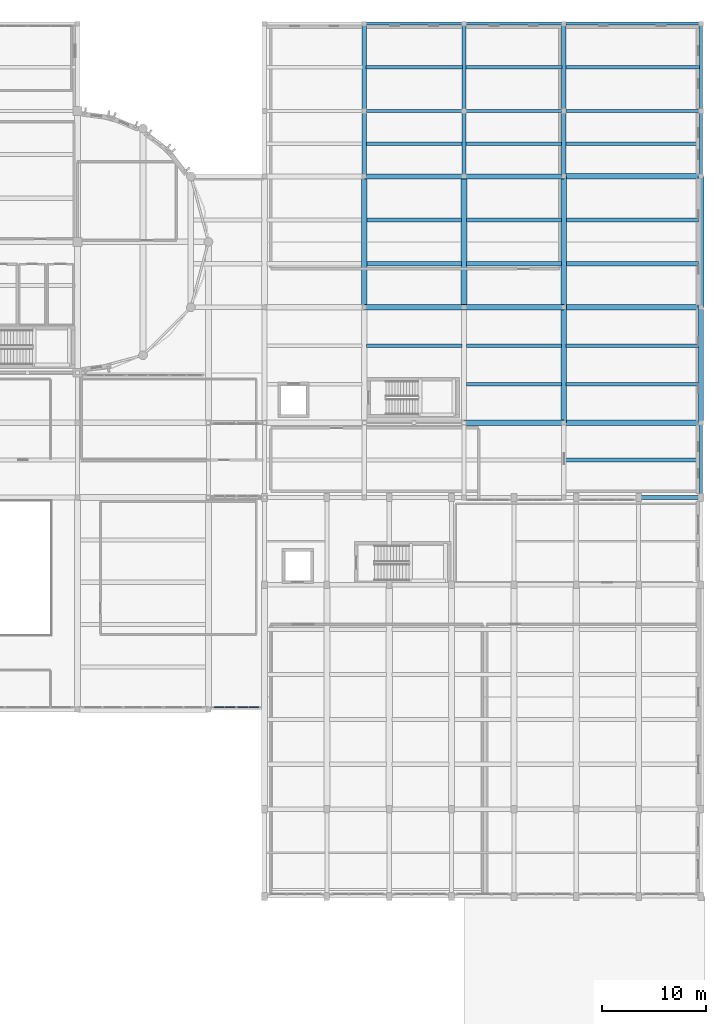
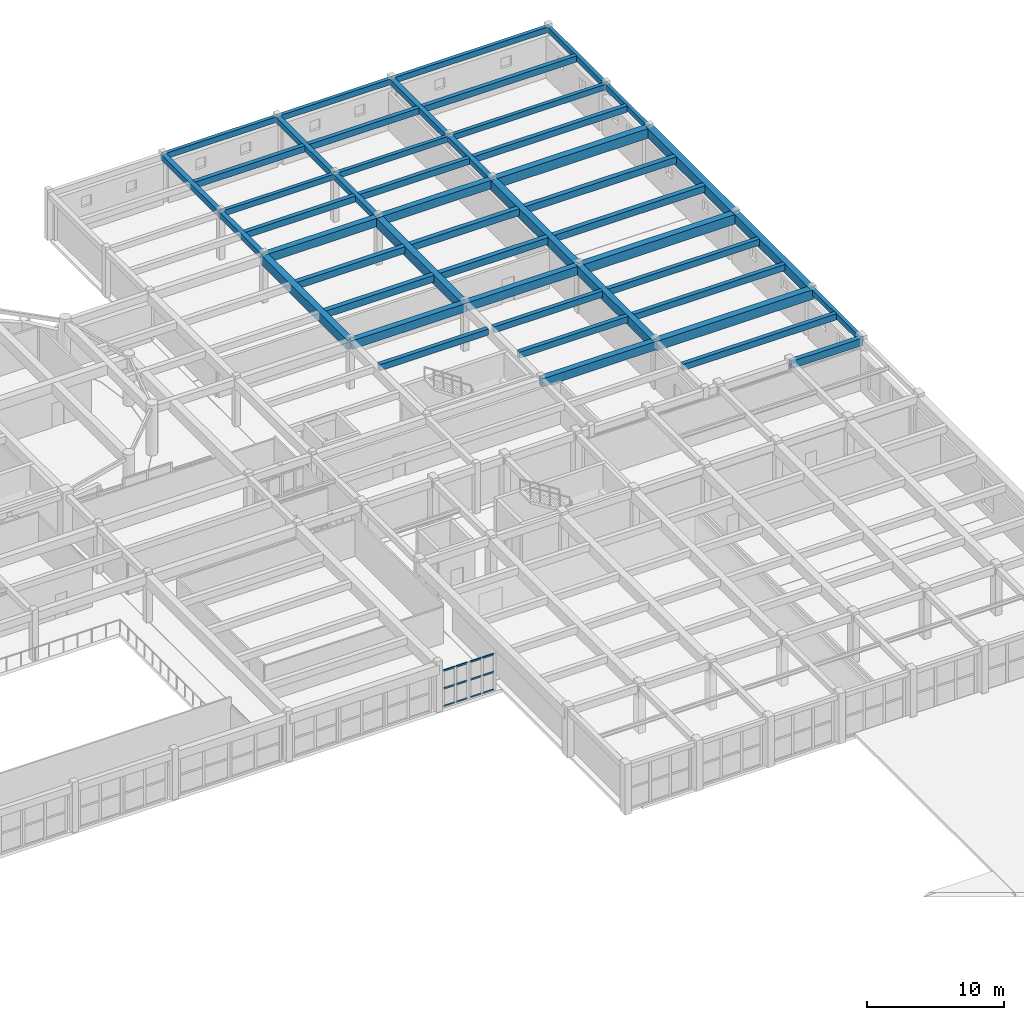
# One storey, part 51 of 92: 48 beams, 12 members, 2 elements without a shape of their own.
"""IFC4 building model written with IfcOpenShell, lengths in metres."""

from ifc_helpers import new_model, si_unit, direction, frame, origin, origin_2d, place, context, subcontext, project, spatial, rectangle, hollow_rectangle, extrude, material, layer, layer_set, material_profile, profile_set, type_object, element, aggregate, save


model = new_model("IFC4")

# Units and contexts
model_context = context("Model", 3, precision=1e-05, world=origin(), true_north=direction((0.0, 1.0)))
body_context = subcontext(model_context, "Body", "Model", "MODEL_VIEW")
ifc_project = project(units=[si_unit("LENGTHUNIT", "METRE"), si_unit("AREAUNIT", "SQUARE_METRE"), si_unit("VOLUMEUNIT", "CUBIC_METRE"), si_unit("PLANEANGLEUNIT", "RADIAN"), si_unit("MASSUNIT", "GRAM", prefix="KILO")], contexts=[model_context])

# Site, building, storey
site_placement = place(None, origin())
site = spatial("IfcSite", under=ifc_project, at=site_placement, CompositionType="ELEMENT")
building_placement = place(site_placement, origin())
building = spatial("IfcBuilding", under=site, at=building_placement, Name="Tarnavel Promenade Courthouse", CompositionType="ELEMENT")
storey_placement = place(building_placement, frame((0.0, 0.0, 5.39990234375)))
storey = spatial("IfcBuildingStorey", under=building, at=storey_placement, Name="L02", CompositionType="ELEMENT", Elevation=5.39990234375)

# Beams
ifc_material_1 = material(Name="Concrete C40/50", Category="concrete")
ifc_material_profile_1 = material_profile(ifc_material_1, rectangle(XDim=0.35009765625, YDim=0.550048828125, at=origin_2d()), Name="PT 350x550")
ifc_profile_set_1 = profile_set([ifc_material_profile_1], Name="Concrete C40/50")
beam_type_1 = type_object("IfcBeamType", Name="Concrete C40/50 BM-PT-350x550 (PT 350x550)", PredefinedType="JOIST", material=ifc_profile_set_1)
beam_1_placement = place(storey_placement, frame((148.969970703125, 70.800048828125, 3.960205078125), z_axis=(1.0, 0.0, 0.0), x_axis=(0.0, 1.0, 0.0)))
element("IfcBeam", 1, at=beam_1_placement, inside=storey, type_object=beam_type_1, Name="L02 Secondary Floor Rib 1406", PredefinedType="JOIST", context=body_context, shape_type="SweptSolid", body=[
    extrude(rectangle(XDim=0.35009765625, YDim=0.550048828125, at=origin_2d()), origin(), (0.0, 0.0, 1.0), 12.909912109375),
])
beam_2_placement = place(storey_placement, frame((129.820068359375, 81.800048828125, 3.960205078125), z_axis=(1.0, 0.0, 0.0), x_axis=(0.0, 1.0, 0.0)))
element("IfcBeam", 2, at=beam_2_placement, inside=storey, type_object=beam_type_1, Name="L02 Secondary Floor Rib 1417", PredefinedType="JOIST", context=body_context, shape_type="SweptSolid", body=[
    extrude(rectangle(XDim=0.35009765625, YDim=0.550048828125, at=origin_2d()), origin(), (0.0, 0.0, 1.0), 9.159912109375),
])
for number, where, z_axis, x_axis, name in (
    (3, (139.419921875, 78.10009765625, 3.960205078125), (1.0, 0.0, 0.0), (0.0, 1.0, 0.0), "L02 Secondary Floor Rib 1418"),
    (4, (139.419921875, 81.800048828125, 3.960205078125), (1.0, 0.0, 0.0), (0.0, 1.0, 0.0), "L02 Secondary Floor Rib 1419"),
):
    element("IfcBeam", number, at=place(storey_placement, frame(where, z_axis=z_axis, x_axis=x_axis)), inside=storey, type_object=beam_type_1, Name=name, PredefinedType="JOIST", context=body_context, shape_type="SweptSolid", body=[
        extrude(rectangle(XDim=0.35009765625, YDim=0.550048828125, at=origin_2d()), origin(), (0.0, 0.0, 1.0), 9.16015625),
    ])
for number, where, z_axis, x_axis, name in (
    (5, (149.02001953125, 78.10009765625, 3.960205078125), (1.0, 0.0, 0.0), (0.0, 1.0, 0.0), "L02 Secondary Floor Rib 1420"),
    (6, (149.02001953125, 81.800048828125, 3.960205078125), (1.0, 0.0, 0.0), (0.0, 1.0, 0.0), "L02 Secondary Floor Rib 1421"),
):
    element("IfcBeam", number, at=place(storey_placement, frame(where, z_axis=z_axis, x_axis=x_axis)), inside=storey, type_object=beam_type_1, Name=name, PredefinedType="JOIST", context=body_context, shape_type="SweptSolid", body=[
        extrude(rectangle(XDim=0.35009765625, YDim=0.550048828125, at=origin_2d()), origin(), (0.0, 0.0, 1.0), 12.760009765625),
    ])
beam_3_placement = place(storey_placement, frame((129.77001953125, 108.60009765625, 3.960205078125), z_axis=(1.0, 0.0, 0.0), x_axis=(0.0, 1.0, 0.0)))
element("IfcBeam", 7, at=beam_3_placement, inside=storey, type_object=beam_type_1, Name="L02 Secondary Floor Rib 1476", PredefinedType="JOIST", context=body_context, shape_type="SweptSolid", body=[
    extrude(rectangle(XDim=0.35009765625, YDim=0.550048828125, at=origin_2d()), origin(), (0.0, 0.0, 1.0), 9.260009765625),
])
beam_4_placement = place(storey_placement, frame((139.3701171875, 108.60009765625, 3.960205078125), z_axis=(1.0, 0.0, 0.0), x_axis=(0.0, 1.0, 0.0)))
element("IfcBeam", 8, at=beam_4_placement, inside=storey, type_object=beam_type_1, Name="L02 Secondary Floor Rib 1477", PredefinedType="JOIST", context=body_context, shape_type="SweptSolid", body=[
    extrude(rectangle(XDim=0.35009765625, YDim=0.550048828125, at=origin_2d()), origin(), (0.0, 0.0, 1.0), 9.259765625),
])
beam_5_placement = place(storey_placement, frame((148.969970703125, 108.60009765625, 3.960205078125), z_axis=(1.0, 0.0, 0.0), x_axis=(0.0, 1.0, 0.0)))
element("IfcBeam", 9, at=beam_5_placement, inside=storey, type_object=beam_type_1, Name="L02 Secondary Floor Rib 1478", PredefinedType="JOIST", context=body_context, shape_type="SweptSolid", body=[
    extrude(rectangle(XDim=0.35009765625, YDim=0.550048828125, at=origin_2d()), origin(), (0.0, 0.0, 1.0), 12.909912109375),
])
beam_6_placement = place(storey_placement, frame((129.77001953125, 101.25, 3.960205078125), z_axis=(1.0, 0.0, 0.0), x_axis=(0.0, 1.0, 0.0)))
element("IfcBeam", 10, at=beam_6_placement, inside=storey, type_object=beam_type_1, Name="L02 Secondary Floor Rib 1512", PredefinedType="JOIST", context=body_context, shape_type="SweptSolid", body=[
    extrude(rectangle(XDim=0.35009765625, YDim=0.550048828125, at=origin_2d()), origin(), (0.0, 0.0, 1.0), 9.260009765625),
])
beam_7_placement = place(storey_placement, frame((139.3701171875, 101.25, 3.960205078125), z_axis=(1.0, 0.0, 0.0), x_axis=(0.0, 1.0, 0.0)))
element("IfcBeam", 11, at=beam_7_placement, inside=storey, type_object=beam_type_1, Name="L02 Secondary Floor Rib 1513", PredefinedType="JOIST", context=body_context, shape_type="SweptSolid", body=[
    extrude(rectangle(XDim=0.35009765625, YDim=0.550048828125, at=origin_2d()), origin(), (0.0, 0.0, 1.0), 9.259765625),
])
beam_8_placement = place(storey_placement, frame((148.969970703125, 101.25, 3.960205078125), z_axis=(1.0, 0.0, 0.0), x_axis=(0.0, 1.0, 0.0)))
element("IfcBeam", 12, at=beam_8_placement, inside=storey, type_object=beam_type_1, Name="L02 Secondary Floor Rib 1514", PredefinedType="JOIST", context=body_context, shape_type="SweptSolid", body=[
    extrude(rectangle(XDim=0.35009765625, YDim=0.550048828125, at=origin_2d()), origin(), (0.0, 0.0, 1.0), 12.909912109375),
])
ifc_material_profile_2 = material_profile(ifc_material_1, rectangle(XDim=0.39990234375, YDim=0.60009765625, at=origin_2d()), Name="PT 400x600")
ifc_profile_set_2 = profile_set([ifc_material_profile_2], Name="Concrete C40/50")
beam_type_2 = type_object("IfcBeamType", Name="Concrete C40/50 BM-PT-400x600 (PT 400x600)", PredefinedType="JOIST", material=ifc_profile_set_2)
for number, where, z_axis, x_axis, name in (
    (13, (129.844970703125, 89.699951171875, 3.93505859375), (1.0, 0.0, 0.0), (0.0, 1.0, 0.0), "L02 Secondary Floor Rib 1436"),
    (14, (129.844970703125, 93.89990234375, 3.93505859375), (1.0, 0.0, 0.0), (0.0, 1.0, 0.0), "L02 Secondary Floor Rib 1437"),
):
    element("IfcBeam", number, at=place(storey_placement, frame(where, z_axis=z_axis, x_axis=x_axis)), inside=storey, type_object=beam_type_2, Name=name, PredefinedType="JOIST", context=body_context, shape_type="SweptSolid", body=[
        extrude(rectangle(XDim=0.39990234375, YDim=0.60009765625, at=origin_2d()), origin(), (0.0, 0.0, 1.0), 9.110107421875),
    ])
for number, where, z_axis, x_axis, name in (
    (15, (139.445068359375, 89.699951171875, 3.93505859375), (1.0, 0.0, 0.0), (0.0, 1.0, 0.0), "L02 Secondary Floor Rib 1438"),
    (16, (139.445068359375, 93.89990234375, 3.93505859375), (1.0, 0.0, 0.0), (0.0, 1.0, 0.0), "L02 Secondary Floor Rib 1439"),
):
    element("IfcBeam", number, at=place(storey_placement, frame(where, z_axis=z_axis, x_axis=x_axis)), inside=storey, type_object=beam_type_2, Name=name, PredefinedType="JOIST", context=body_context, shape_type="SweptSolid", body=[
        extrude(rectangle(XDim=0.39990234375, YDim=0.60009765625, at=origin_2d()), origin(), (0.0, 0.0, 1.0), 9.10986328125),
    ])
for number, where, z_axis, x_axis, name in (
    (17, (149.044921875, 89.699951171875, 3.93505859375), (1.0, 0.0, 0.0), (0.0, 1.0, 0.0), "L02 Secondary Floor Rib 1440"),
    (18, (149.044921875, 93.89990234375, 3.93505859375), (1.0, 0.0, 0.0), (0.0, 1.0, 0.0), "L02 Secondary Floor Rib 1441"),
):
    element("IfcBeam", number, at=place(storey_placement, frame(where, z_axis=z_axis, x_axis=x_axis)), inside=storey, type_object=beam_type_2, Name=name, PredefinedType="JOIST", context=body_context, shape_type="SweptSolid", body=[
        extrude(rectangle(XDim=0.39990234375, YDim=0.60009765625, at=origin_2d()), origin(), (0.0, 0.0, 1.0), 12.7099609375),
    ])
ifc_material_profile_3 = material_profile(ifc_material_1, rectangle(XDim=0.5, YDim=0.800048828125, at=origin_2d()), Name="PT 500x800")
ifc_profile_set_3 = profile_set([ifc_material_profile_3], Name="Concrete C40/50")
beam_type_3 = type_object("IfcBeamType", Name="Concrete C40/50 BM-PT-500x800 (PT 500x800)", PredefinedType="T_BEAM", material=ifc_profile_set_3)
for number, where, z_axis, x_axis, name in (
    (19, (148.800048828125, 74.39990234375, 3.835205078125), (0.0, 1.0, 0.0), (-1.0, 0.0, 0.0), "L02 Transverse Girder 1346"),
    (20, (162.0, 74.39990234375, 3.835205078125), (0.0, 1.0, 0.0), (-1.0, 0.0, 0.0), "L02 Transverse Girder 1360"),
):
    element("IfcBeam", number, at=place(storey_placement, frame(where, z_axis=z_axis, x_axis=x_axis)), inside=storey, type_object=beam_type_3, Name=name, PredefinedType="T_BEAM", context=body_context, shape_type="SweptSolid", body=[
        extrude(rectangle(XDim=0.5, YDim=0.800048828125, at=origin_2d()), origin(), (0.0, 0.0, 1.0), 11.10009765625),
    ])
ifc_material_profile_4 = material_profile(ifc_material_1, rectangle(XDim=0.550048828125, YDim=0.85009765625, at=origin_2d()), Name="PT 550x850")
ifc_profile_set_4 = profile_set([ifc_material_profile_4], Name="Concrete C40/50")
beam_type_4 = type_object("IfcBeamType", Name="Concrete C40/50 BM-PT-550x850 (PT 550x850)", PredefinedType="T_BEAM", material=ifc_profile_set_4)
for number, where, z_axis, x_axis, name in (
    (21, (148.800048828125, 74.39990234375, 3.81005859375), (1.0, 0.0, 0.0), (0.0, 1.0, 0.0), "L02 Primary Longitudinal Beam 1166"),
    (22, (148.800048828125, 85.5, 3.81005859375), (1.0, 0.0, 0.0), (0.0, 1.0, 0.0), "L02 Primary Longitudinal Beam 1182"),
    (23, (148.800048828125, 98.10009765625, 3.81005859375), (1.0, 0.0, 0.0), (0.0, 1.0, 0.0), "L02 Primary Longitudinal Beam 1200"),
):
    element("IfcBeam", number, at=place(storey_placement, frame(where, z_axis=z_axis, x_axis=x_axis)), inside=storey, type_object=beam_type_4, Name=name, PredefinedType="T_BEAM", context=body_context, shape_type="SweptSolid", body=[
        extrude(rectangle(XDim=0.550048828125, YDim=0.85009765625, at=origin_2d()), origin(), (0.0, 0.0, 1.0), 13.199951171875),
    ])
for number, where, z_axis, x_axis, name in (
    (24, (129.60009765625, 85.5, 3.81005859375), (0.0, 1.0, 0.0), (-1.0, 0.0, 0.0), "L02 Transverse Girder 1328"),
    (25, (139.199951171875, 85.5, 3.81005859375), (0.0, 1.0, 0.0), (-1.0, 0.0, 0.0), "L02 Transverse Girder 1339"),
    (26, (148.800048828125, 85.5, 3.81005859375), (0.0, 1.0, 0.0), (-1.0, 0.0, 0.0), "L02 Transverse Girder 1347"),
    (27, (162.0, 85.5, 3.81005859375), (0.0, 1.0, 0.0), (-1.0, 0.0, 0.0), "L02 Transverse Girder 1361"),
):
    element("IfcBeam", number, at=place(storey_placement, frame(where, z_axis=z_axis, x_axis=x_axis)), inside=storey, type_object=beam_type_4, Name=name, PredefinedType="T_BEAM", context=body_context, shape_type="SweptSolid", body=[
        extrude(rectangle(XDim=0.550048828125, YDim=0.85009765625, at=origin_2d()), origin(), (0.0, 0.0, 1.0), 12.60009765625),
    ])
ifc_material_profile_5 = material_profile(ifc_material_1, rectangle(XDim=0.39990234375, YDim=0.5, at=origin_2d()), Name="RC 400x500")
ifc_profile_set_5 = profile_set([ifc_material_profile_5], Name="Concrete C40/50")
beam_type_5 = type_object("IfcBeamType", Name="Concrete C40/50 BM-RC-400x500 (RC 400x500)", PredefinedType="BEAM", material=ifc_profile_set_5)
beam_9_placement = place(storey_placement, frame((129.60009765625, 98.10009765625, 3.985107421875), z_axis=(0.0, 1.0, 0.0), x_axis=(-1.0, 0.0, 0.0)))
element("IfcBeam", 28, at=beam_9_placement, inside=storey, type_object=beam_type_5, Name="L02 Transverse Girder 1329", PredefinedType="BEAM", context=body_context, shape_type="SweptSolid", body=[
    extrude(rectangle(XDim=0.39990234375, YDim=0.5, at=origin_2d()), origin(), (0.0, 0.0, 1.0), 6.2998046875),
])
beam_10_placement = place(storey_placement, frame((129.60009765625, 104.39990234375, 3.985107421875), z_axis=(0.0, 1.0, 0.0), x_axis=(-1.0, 0.0, 0.0)))
element("IfcBeam", 29, at=beam_10_placement, inside=storey, type_object=beam_type_5, Name="L02 Transverse Girder 1330", PredefinedType="BEAM", context=body_context, shape_type="SweptSolid", body=[
    extrude(rectangle(XDim=0.39990234375, YDim=0.5, at=origin_2d()), origin(), (0.0, 0.0, 1.0), 8.400146484375),
])
beam_11_placement = place(storey_placement, frame((139.199951171875, 98.10009765625, 3.985107421875), z_axis=(0.0, 1.0, 0.0), x_axis=(-1.0, 0.0, 0.0)))
element("IfcBeam", 30, at=beam_11_placement, inside=storey, type_object=beam_type_5, Name="L02 Transverse Girder 1340", PredefinedType="BEAM", context=body_context, shape_type="SweptSolid", body=[
    extrude(rectangle(XDim=0.39990234375, YDim=0.5, at=origin_2d()), origin(), (0.0, 0.0, 1.0), 6.2998046875),
])
beam_12_placement = place(storey_placement, frame((139.199951171875, 104.39990234375, 3.985107421875), z_axis=(0.0, 1.0, 0.0), x_axis=(-1.0, 0.0, 0.0)))
element("IfcBeam", 31, at=beam_12_placement, inside=storey, type_object=beam_type_5, Name="L02 Transverse Girder 1341", PredefinedType="BEAM", context=body_context, shape_type="SweptSolid", body=[
    extrude(rectangle(XDim=0.39990234375, YDim=0.5, at=origin_2d()), origin(), (0.0, 0.0, 1.0), 8.400146484375),
])
beam_13_placement = place(storey_placement, frame((148.800048828125, 98.10009765625, 3.985107421875), z_axis=(0.0, 1.0, 0.0), x_axis=(-1.0, 0.0, 0.0)))
element("IfcBeam", 32, at=beam_13_placement, inside=storey, type_object=beam_type_5, Name="L02 Transverse Girder 1348", PredefinedType="BEAM", context=body_context, shape_type="SweptSolid", body=[
    extrude(rectangle(XDim=0.39990234375, YDim=0.5, at=origin_2d()), origin(), (0.0, 0.0, 1.0), 6.2998046875),
])
beam_14_placement = place(storey_placement, frame((148.800048828125, 104.39990234375, 3.985107421875), z_axis=(0.0, 1.0, 0.0), x_axis=(-1.0, 0.0, 0.0)))
element("IfcBeam", 33, at=beam_14_placement, inside=storey, type_object=beam_type_5, Name="L02 Transverse Girder 1349", PredefinedType="BEAM", context=body_context, shape_type="SweptSolid", body=[
    extrude(rectangle(XDim=0.39990234375, YDim=0.5, at=origin_2d()), origin(), (0.0, 0.0, 1.0), 8.400146484375),
])
ifc_material_profile_6 = material_profile(ifc_material_1, rectangle(XDim=0.39990234375, YDim=0.64990234375, at=origin_2d()), Name="RC 400x650")
ifc_profile_set_6 = profile_set([ifc_material_profile_6], Name="Concrete C40/50")
beam_type_6 = type_object("IfcBeamType", Name="Concrete C40/50 BM-RC-400x650 (RC 400x650)", PredefinedType="BEAM", material=ifc_profile_set_6)
beam_15_placement = place(storey_placement, frame((156.0, 67.199951171875, 3.91015625), z_axis=(1.0, 0.0, 0.0), x_axis=(0.0, 1.0, 0.0)))
element("IfcBeam", 34, at=beam_15_placement, inside=storey, type_object=beam_type_6, Name="L02 Primary Longitudinal Beam 1149", PredefinedType="BEAM", context=body_context, shape_type="SweptSolid", body=[
    extrude(rectangle(XDim=0.39990234375, YDim=0.64990234375, at=origin_2d()), origin(), (0.0, 0.0, 1.0), 6.0),
])
ifc_material_profile_7 = material_profile(ifc_material_1, rectangle(XDim=0.5, YDim=0.75, at=origin_2d()), Name="RC 500x750")
ifc_profile_set_7 = profile_set([ifc_material_profile_7], Name="Concrete C40/50")
beam_type_7 = type_object("IfcBeamType", Name="Concrete C40/50 BM-RC-500x750 (RC 500x750)", PredefinedType="T_BEAM", material=ifc_profile_set_7)
beam_16_placement = place(storey_placement, frame((139.199951171875, 74.39990234375, 3.860107421875), z_axis=(1.0, 0.0, 0.0), x_axis=(0.0, 1.0, 0.0)))
element("IfcBeam", 35, at=beam_16_placement, inside=storey, type_object=beam_type_7, Name="L02 Primary Longitudinal Beam 1165", PredefinedType="T_BEAM", context=body_context, shape_type="SweptSolid", body=[
    extrude(rectangle(XDim=0.5, YDim=0.75, at=origin_2d()), origin(), (0.0, 0.0, 1.0), 9.60009765625),
])
beam_17_placement = place(storey_placement, frame((129.60009765625, 85.5, 3.860107421875), z_axis=(1.0, 0.0, 0.0), x_axis=(0.0, 1.0, 0.0)))
element("IfcBeam", 36, at=beam_17_placement, inside=storey, type_object=beam_type_7, Name="L02 Primary Longitudinal Beam 1180", PredefinedType="T_BEAM", context=body_context, shape_type="SweptSolid", body=[
    extrude(rectangle(XDim=0.5, YDim=0.75, at=origin_2d()), origin(), (0.0, 0.0, 1.0), 9.599853515625),
])
beam_18_placement = place(storey_placement, frame((139.199951171875, 85.5, 3.860107421875), z_axis=(1.0, 0.0, 0.0), x_axis=(0.0, 1.0, 0.0)))
element("IfcBeam", 37, at=beam_18_placement, inside=storey, type_object=beam_type_7, Name="L02 Primary Longitudinal Beam 1181", PredefinedType="T_BEAM", context=body_context, shape_type="SweptSolid", body=[
    extrude(rectangle(XDim=0.5, YDim=0.75, at=origin_2d()), origin(), (0.0, 0.0, 1.0), 9.60009765625),
])
beam_19_placement = place(storey_placement, frame((129.60009765625, 98.10009765625, 3.860107421875), z_axis=(1.0, 0.0, 0.0), x_axis=(0.0, 1.0, 0.0)))
element("IfcBeam", 38, at=beam_19_placement, inside=storey, type_object=beam_type_7, Name="L02 Primary Longitudinal Beam 1198", PredefinedType="T_BEAM", context=body_context, shape_type="SweptSolid", body=[
    extrude(rectangle(XDim=0.5, YDim=0.75, at=origin_2d()), origin(), (0.0, 0.0, 1.0), 9.599853515625),
])
beam_20_placement = place(storey_placement, frame((139.199951171875, 98.10009765625, 3.860107421875), z_axis=(1.0, 0.0, 0.0), x_axis=(0.0, 1.0, 0.0)))
element("IfcBeam", 39, at=beam_20_placement, inside=storey, type_object=beam_type_7, Name="L02 Primary Longitudinal Beam 1199", PredefinedType="T_BEAM", context=body_context, shape_type="SweptSolid", body=[
    extrude(rectangle(XDim=0.5, YDim=0.75, at=origin_2d()), origin(), (0.0, 0.0, 1.0), 9.60009765625),
])
ifc_material_profile_8 = material_profile(ifc_material_1, rectangle(XDim=0.300048828125, YDim=0.5, at=origin_2d()), Name="RC 300x500")
ifc_profile_set_8 = profile_set([ifc_material_profile_8], Name="Concrete C40/50")
beam_type_8 = type_object("IfcBeamType", Name="Concrete C40/50 BM-SP-300x500 (RC 300x500)", PredefinedType="SPANDREL", material=ifc_profile_set_8)
beam_21_placement = place(storey_placement, frame((129.60009765625, 104.39990234375, 3.985107421875), z_axis=(1.0, 0.0, 0.0), x_axis=(0.0, 1.0, 0.0)))
element("IfcBeam", 40, at=beam_21_placement, inside=storey, type_object=beam_type_8, Name="L02 Primary Longitudinal Beam 1207", PredefinedType="SPANDREL", context=body_context, shape_type="SweptSolid", body=[
    extrude(rectangle(XDim=0.300048828125, YDim=0.5, at=origin_2d()), origin(), (0.0, 0.0, 1.0), 9.599853515625),
])
beam_22_placement = place(storey_placement, frame((139.199951171875, 104.39990234375, 3.985107421875), z_axis=(1.0, 0.0, 0.0), x_axis=(0.0, 1.0, 0.0)))
element("IfcBeam", 41, at=beam_22_placement, inside=storey, type_object=beam_type_8, Name="L02 Primary Longitudinal Beam 1208", PredefinedType="SPANDREL", context=body_context, shape_type="SweptSolid", body=[
    extrude(rectangle(XDim=0.300048828125, YDim=0.5, at=origin_2d()), origin(), (0.0, 0.0, 1.0), 9.60009765625),
])
beam_23_placement = place(storey_placement, frame((148.800048828125, 104.39990234375, 3.985107421875), z_axis=(1.0, 0.0, 0.0), x_axis=(0.0, 1.0, 0.0)))
element("IfcBeam", 42, at=beam_23_placement, inside=storey, type_object=beam_type_8, Name="L02 Primary Longitudinal Beam 1209", PredefinedType="SPANDREL", context=body_context, shape_type="SweptSolid", body=[
    extrude(rectangle(XDim=0.300048828125, YDim=0.5, at=origin_2d()), origin(), (0.0, 0.0, 1.0), 13.199951171875),
])
beam_24_placement = place(storey_placement, frame((129.60009765625, 112.800048828125, 3.985107421875), z_axis=(1.0, 0.0, 0.0), x_axis=(0.0, 1.0, 0.0)))
element("IfcBeam", 43, at=beam_24_placement, inside=storey, type_object=beam_type_8, Name="L02 Primary Longitudinal Beam 1222", PredefinedType="SPANDREL", context=body_context, shape_type="SweptSolid", body=[
    extrude(rectangle(XDim=0.300048828125, YDim=0.5, at=origin_2d()), origin(), (0.0, 0.0, 1.0), 9.599853515625),
])
beam_25_placement = place(storey_placement, frame((139.199951171875, 112.800048828125, 3.985107421875), z_axis=(1.0, 0.0, 0.0), x_axis=(0.0, 1.0, 0.0)))
element("IfcBeam", 44, at=beam_25_placement, inside=storey, type_object=beam_type_8, Name="L02 Primary Longitudinal Beam 1223", PredefinedType="SPANDREL", context=body_context, shape_type="SweptSolid", body=[
    extrude(rectangle(XDim=0.300048828125, YDim=0.5, at=origin_2d()), origin(), (0.0, 0.0, 1.0), 9.60009765625),
])
beam_26_placement = place(storey_placement, frame((148.800048828125, 112.800048828125, 3.985107421875), z_axis=(1.0, 0.0, 0.0), x_axis=(0.0, 1.0, 0.0)))
element("IfcBeam", 45, at=beam_26_placement, inside=storey, type_object=beam_type_8, Name="L02 Primary Longitudinal Beam 1224", PredefinedType="SPANDREL", context=body_context, shape_type="SweptSolid", body=[
    extrude(rectangle(XDim=0.300048828125, YDim=0.5, at=origin_2d()), origin(), (0.0, 0.0, 1.0), 13.199951171875),
])
beam_27_placement = place(storey_placement, frame((162.0, 67.199951171875, 3.985107421875), z_axis=(0.0, 1.0, 0.0), x_axis=(-1.0, 0.0, 0.0)))
element("IfcBeam", 46, at=beam_27_placement, inside=storey, type_object=beam_type_8, Name="L02 Transverse Girder 1359", PredefinedType="SPANDREL", context=body_context, shape_type="SweptSolid", body=[
    extrude(rectangle(XDim=0.300048828125, YDim=0.5, at=origin_2d()), origin(), (0.0, 0.0, 1.0), 7.199951171875),
])
beam_28_placement = place(storey_placement, frame((162.0, 98.10009765625, 3.985107421875), z_axis=(0.0, 1.0, 0.0), x_axis=(-1.0, 0.0, 0.0)))
element("IfcBeam", 47, at=beam_28_placement, inside=storey, type_object=beam_type_8, Name="L02 Transverse Girder 1362", PredefinedType="SPANDREL", context=body_context, shape_type="SweptSolid", body=[
    extrude(rectangle(XDim=0.300048828125, YDim=0.5, at=origin_2d()), origin(), (0.0, 0.0, 1.0), 6.2998046875),
])
beam_29_placement = place(storey_placement, frame((162.0, 104.39990234375, 3.985107421875), z_axis=(0.0, 1.0, 0.0), x_axis=(-1.0, 0.0, 0.0)))
element("IfcBeam", 48, at=beam_29_placement, inside=storey, type_object=beam_type_8, Name="L02 Transverse Girder 1363", PredefinedType="SPANDREL", context=body_context, shape_type="SweptSolid", body=[
    extrude(rectangle(XDim=0.300048828125, YDim=0.5, at=origin_2d()), origin(), (0.0, 0.0, 1.0), 8.400146484375),
])

# Curtain wall, members
ifc_material_2 = material(Name="Thermally Broken Anodised Aluminium Curtain Wall System", Category="aluminium")
ifc_layer = layer(ifc_material_2, 0.239990234375)
ifc_layer_set = layer_set([ifc_layer], Name="Thermally Broken Anodised Aluminium Curtain Wall System")
curtain_wall_type = type_object("IfcCurtainWallType", Name="Thermally Broken Aluminium Triple-Glazed Curtain Wall CW-WG-S", PredefinedType="NOTDEFINED", material=ifc_layer_set)
curtain_wall_1_placement = place(storey_placement, origin())
curtain_wall_1 = element("IfcCurtainWall", 49, at=curtain_wall_1_placement, inside=storey, type_object=curtain_wall_type, Name="L02 Winter-Garden South Solar Curtain Wall 080", PredefinedType="NOTDEFINED")
ifc_material_3 = material(Name="Thermally Broken Anodised Aluminium Frame", Category="aluminium")
ifc_material_profile_9 = material_profile(ifc_material_3, hollow_rectangle(XDim=0.080078125, YDim=0.159912109375, WallThickness=0.0048828125, InnerFilletRadius=0.0048828125, OuterFilletRadius=0.010009765625, at=origin_2d()), Name="CWT 160x80x5")
ifc_profile_set_9 = profile_set([ifc_material_profile_9], Name="Thermally Broken Anodised Aluminium Frame")
member_type = type_object("IfcMemberType", Name="Thermally Broken Anodised Aluminium CWT-145 (CWT 160x80x5)", PredefinedType="USERDEFINED", material=ifc_profile_set_9)
member_1_placement = place(storey_placement, frame((115.179931640625, 47.0, 0.0400390625), z_axis=(1.0, 0.0, 0.0), x_axis=(0.0, 1.0, 0.0)))
member_1 = element("IfcMember", 50, at=member_1_placement, type_object=member_type, Name="CW-02 transom 1.1", ObjectType="TRANSOM", PredefinedType="USERDEFINED", context=body_context, shape_type="SweptSolid", body=[
    extrude(hollow_rectangle(XDim=0.080078125, YDim=0.159912109375, WallThickness=0.0048828125, InnerFilletRadius=0.0048828125, OuterFilletRadius=0.010009765625, at=origin_2d()), origin(), (0.0, 0.0, 1.0), 0.949951171875),
])
member_2_placement = place(storey_placement, frame((115.179931640625, 47.0, 1.614990234375), z_axis=(1.0, 0.0, 0.0), x_axis=(0.0, 1.0, 0.0)))
member_2 = element("IfcMember", 51, at=member_2_placement, type_object=member_type, Name="CW-02 transom 1.2", ObjectType="TRANSOM", PredefinedType="USERDEFINED", context=body_context, shape_type="SweptSolid", body=[
    extrude(hollow_rectangle(XDim=0.080078125, YDim=0.159912109375, WallThickness=0.0048828125, InnerFilletRadius=0.0048828125, OuterFilletRadius=0.010009765625, at=origin_2d()), origin(), (0.0, 0.0, 1.0), 0.949951171875),
])
member_3_placement = place(storey_placement, frame((115.179931640625, 47.0, 3.190185546875), z_axis=(1.0, 0.0, 0.0), x_axis=(0.0, 1.0, 0.0)))
member_3 = element("IfcMember", 52, at=member_3_placement, type_object=member_type, Name="CW-02 transom 1.3", ObjectType="TRANSOM", PredefinedType="USERDEFINED", context=body_context, shape_type="SweptSolid", body=[
    extrude(hollow_rectangle(XDim=0.080078125, YDim=0.159912109375, WallThickness=0.0048828125, InnerFilletRadius=0.0048828125, OuterFilletRadius=0.010009765625, at=origin_2d()), origin(), (0.0, 0.0, 1.0), 0.949951171875),
])
member_4_placement = place(storey_placement, frame((116.219970703125, 47.0, 0.0400390625), z_axis=(1.0, 0.0, 0.0), x_axis=(0.0, 1.0, 0.0)))
member_4 = element("IfcMember", 53, at=member_4_placement, type_object=member_type, Name="CW-02 transom 2.1", ObjectType="TRANSOM", PredefinedType="USERDEFINED", context=body_context, shape_type="SweptSolid", body=[
    extrude(hollow_rectangle(XDim=0.080078125, YDim=0.159912109375, WallThickness=0.0048828125, InnerFilletRadius=0.0048828125, OuterFilletRadius=0.010009765625, at=origin_2d()), origin(), (0.0, 0.0, 1.0), 0.949951171875),
])
member_5_placement = place(storey_placement, frame((116.219970703125, 47.0, 1.614990234375), z_axis=(1.0, 0.0, 0.0), x_axis=(0.0, 1.0, 0.0)))
member_5 = element("IfcMember", 54, at=member_5_placement, type_object=member_type, Name="CW-02 transom 2.2", ObjectType="TRANSOM", PredefinedType="USERDEFINED", context=body_context, shape_type="SweptSolid", body=[
    extrude(hollow_rectangle(XDim=0.080078125, YDim=0.159912109375, WallThickness=0.0048828125, InnerFilletRadius=0.0048828125, OuterFilletRadius=0.010009765625, at=origin_2d()), origin(), (0.0, 0.0, 1.0), 0.949951171875),
])
member_6_placement = place(storey_placement, frame((116.219970703125, 47.0, 3.190185546875), z_axis=(1.0, 0.0, 0.0), x_axis=(0.0, 1.0, 0.0)))
member_6 = element("IfcMember", 55, at=member_6_placement, type_object=member_type, Name="CW-02 transom 2.3", ObjectType="TRANSOM", PredefinedType="USERDEFINED", context=body_context, shape_type="SweptSolid", body=[
    extrude(hollow_rectangle(XDim=0.080078125, YDim=0.159912109375, WallThickness=0.0048828125, InnerFilletRadius=0.0048828125, OuterFilletRadius=0.010009765625, at=origin_2d()), origin(), (0.0, 0.0, 1.0), 0.949951171875),
])
aggregate(curtain_wall_1, [member_1, member_2, member_3, member_4, member_5, member_6])

curtain_wall_2_placement = place(storey_placement, origin())
curtain_wall_2 = element("IfcCurtainWall", 56, at=curtain_wall_2_placement, inside=storey, type_object=curtain_wall_type, Name="L02 Winter-Garden South Solar Curtain Wall 081", PredefinedType="NOTDEFINED")
member_7_placement = place(storey_placement, frame((117.429931640625, 47.0, 0.0400390625), z_axis=(1.0, 0.0, 0.0), x_axis=(0.0, 1.0, 0.0)))
member_7 = element("IfcMember", 57, at=member_7_placement, type_object=member_type, Name="CW-02 transom 1.1", ObjectType="TRANSOM", PredefinedType="USERDEFINED", context=body_context, shape_type="SweptSolid", body=[
    extrude(hollow_rectangle(XDim=0.080078125, YDim=0.159912109375, WallThickness=0.0048828125, InnerFilletRadius=0.0048828125, OuterFilletRadius=0.010009765625, at=origin_2d()), origin(), (0.0, 0.0, 1.0), 0.949951171875),
])
member_8_placement = place(storey_placement, frame((117.429931640625, 47.0, 1.614990234375), z_axis=(1.0, 0.0, 0.0), x_axis=(0.0, 1.0, 0.0)))
member_8 = element("IfcMember", 58, at=member_8_placement, type_object=member_type, Name="CW-02 transom 1.2", ObjectType="TRANSOM", PredefinedType="USERDEFINED", context=body_context, shape_type="SweptSolid", body=[
    extrude(hollow_rectangle(XDim=0.080078125, YDim=0.159912109375, WallThickness=0.0048828125, InnerFilletRadius=0.0048828125, OuterFilletRadius=0.010009765625, at=origin_2d()), origin(), (0.0, 0.0, 1.0), 0.949951171875),
])
member_9_placement = place(storey_placement, frame((117.429931640625, 47.0, 3.190185546875), z_axis=(1.0, 0.0, 0.0), x_axis=(0.0, 1.0, 0.0)))
member_9 = element("IfcMember", 59, at=member_9_placement, type_object=member_type, Name="CW-02 transom 1.3", ObjectType="TRANSOM", PredefinedType="USERDEFINED", context=body_context, shape_type="SweptSolid", body=[
    extrude(hollow_rectangle(XDim=0.080078125, YDim=0.159912109375, WallThickness=0.0048828125, InnerFilletRadius=0.0048828125, OuterFilletRadius=0.010009765625, at=origin_2d()), origin(), (0.0, 0.0, 1.0), 0.949951171875),
])
member_10_placement = place(storey_placement, frame((118.469970703125, 47.0, 0.0400390625), z_axis=(1.0, 0.0, 0.0), x_axis=(0.0, 1.0, 0.0)))
member_10 = element("IfcMember", 60, at=member_10_placement, type_object=member_type, Name="CW-02 transom 2.1", ObjectType="TRANSOM", PredefinedType="USERDEFINED", context=body_context, shape_type="SweptSolid", body=[
    extrude(hollow_rectangle(XDim=0.080078125, YDim=0.159912109375, WallThickness=0.0048828125, InnerFilletRadius=0.0048828125, OuterFilletRadius=0.010009765625, at=origin_2d()), origin(), (0.0, 0.0, 1.0), 0.949951171875),
])
member_11_placement = place(storey_placement, frame((118.469970703125, 47.0, 1.614990234375), z_axis=(1.0, 0.0, 0.0), x_axis=(0.0, 1.0, 0.0)))
member_11 = element("IfcMember", 61, at=member_11_placement, type_object=member_type, Name="CW-02 transom 2.2", ObjectType="TRANSOM", PredefinedType="USERDEFINED", context=body_context, shape_type="SweptSolid", body=[
    extrude(hollow_rectangle(XDim=0.080078125, YDim=0.159912109375, WallThickness=0.0048828125, InnerFilletRadius=0.0048828125, OuterFilletRadius=0.010009765625, at=origin_2d()), origin(), (0.0, 0.0, 1.0), 0.949951171875),
])
member_12_placement = place(storey_placement, frame((118.469970703125, 47.0, 3.190185546875), z_axis=(1.0, 0.0, 0.0), x_axis=(0.0, 1.0, 0.0)))
member_12 = element("IfcMember", 62, at=member_12_placement, type_object=member_type, Name="CW-02 transom 2.3", ObjectType="TRANSOM", PredefinedType="USERDEFINED", context=body_context, shape_type="SweptSolid", body=[
    extrude(hollow_rectangle(XDim=0.080078125, YDim=0.159912109375, WallThickness=0.0048828125, InnerFilletRadius=0.0048828125, OuterFilletRadius=0.010009765625, at=origin_2d()), origin(), (0.0, 0.0, 1.0), 0.949951171875),
])
aggregate(curtain_wall_2, [member_7, member_8, member_9, member_10, member_11, member_12])

save(model, "model.ifc")
